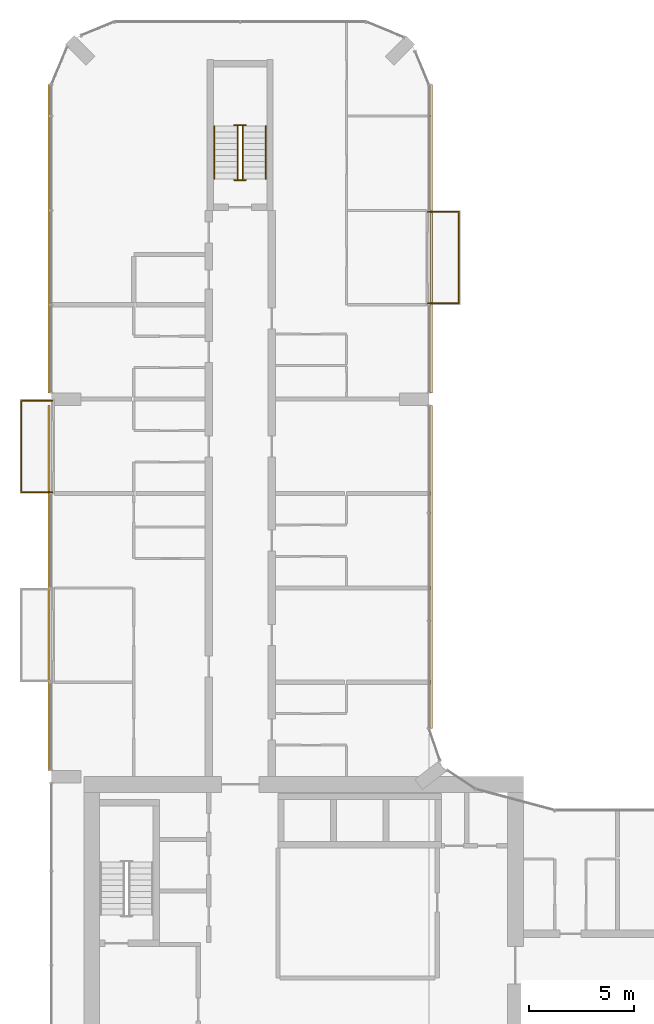
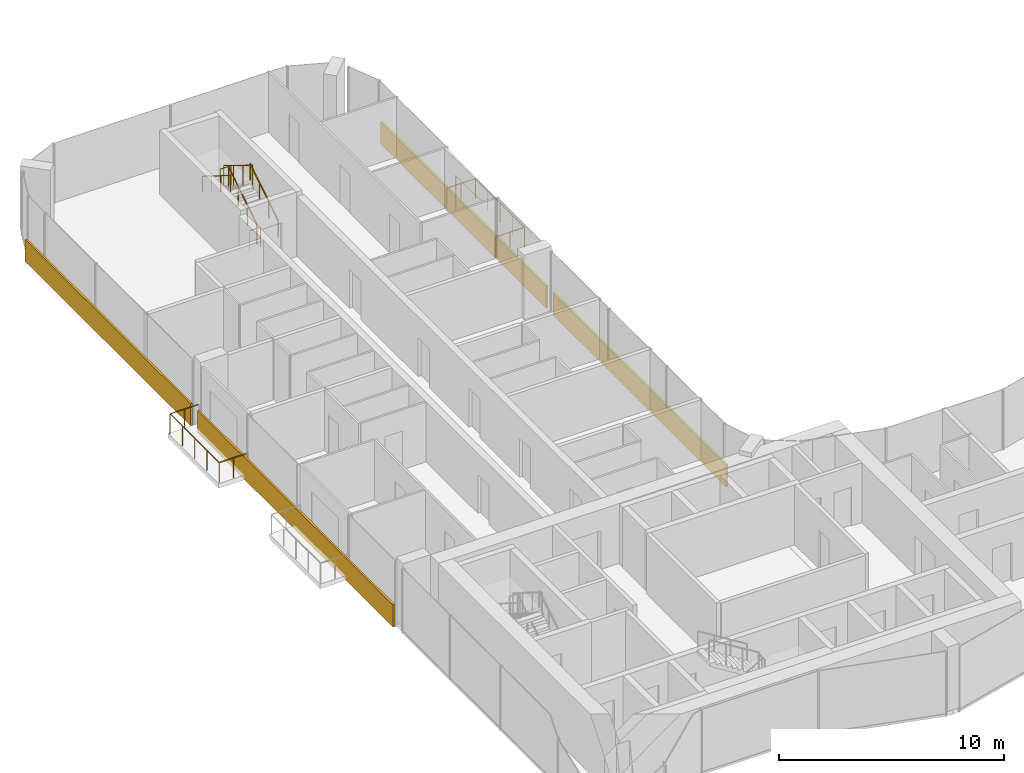
# One storey, part 23 of 24: 8 railings, 4 coverings.
"""IFC4 building model written with IfcOpenShell, lengths in metres."""

from ifc_helpers import new_model, si_unit, direction, frame, origin, origin_2d, place, context, subcontext, project, spatial, rectangle, circle, extrude, material, layer, layer_set, type_object, element, save


model = new_model("IFC4")

# Units and contexts
model_context = context("Model", 3, precision=1e-05, world=origin(), true_north=direction((0.0, 1.0)))
body_context = subcontext(model_context, "Body", "Model", "MODEL_VIEW")
ifc_project = project(units=[si_unit("LENGTHUNIT", "METRE"), si_unit("AREAUNIT", "SQUARE_METRE"), si_unit("VOLUMEUNIT", "CUBIC_METRE"), si_unit("PLANEANGLEUNIT", "RADIAN"), si_unit("MASSUNIT", "GRAM", prefix="KILO")], contexts=[model_context])

# Site, building, storey
site_placement = place(None, origin())
site = spatial("IfcSite", under=ifc_project, at=site_placement, CompositionType="ELEMENT")
building_placement = place(site_placement, origin())
building = spatial("IfcBuilding", under=site, at=building_placement, Name="Plateau Cross Towers", CompositionType="ELEMENT")
storey_placement = place(building_placement, frame((0.0, 0.0, 44.300048828125)))
storey = spatial("IfcBuildingStorey", under=building, at=storey_placement, Name="L10", CompositionType="ELEMENT", Elevation=44.300048828125)

# Railings
ifc_material_1 = material(Name="Stainless steel and toughened glass", Category="steel")
railing_type_1 = type_object("IfcRailingType", Name="Glass balustrade guard 1100", PredefinedType="GUARDRAIL", material=ifc_material_1)
railing_1_placement = place(storey_placement, frame((0.050048828125, 31.570068359375, 0.0)))
element("IfcRailing", 1, at=railing_1_placement, inside=storey, type_object=railing_type_1, Name="Guard guard1", PredefinedType="GUARDRAIL", context=body_context, shape_type="SweptSolid", body=[
    extrude(circle(Radius=0.02392578125, at=origin_2d()), frame((0.0, 0.0, 1.076171875), z_axis=(-1.0, 0.0, 0.0), x_axis=(0.0, -1.0, 0.0)), (0.0, 0.0, 1.0), 1.47998046875),
    extrude(circle(Radius=0.02392578125, at=origin_2d()), frame((-1.47998046875, 0.0, 1.076171875), z_axis=(0.0, 1.0, 0.0), x_axis=(-1.0, 0.0, 0.0)), (0.0, 0.0, 1.0), 4.35986328125),
    extrude(circle(Radius=0.02392578125, at=origin_2d()), frame((-1.47998046875, 4.35986328125, 1.076171875), z_axis=(1.0, 0.0, 0.0), x_axis=(0.0, 1.0, 0.0)), (0.0, 0.0, 1.0), 1.47998046875),
    extrude(circle(Radius=0.02099609375, at=origin_2d()), origin(), (0.0, 0.0, 1.0), 1.052001953125),
    extrude(circle(Radius=0.02099609375, at=origin_2d()), frame((-0.739990234375, 0.0, 0.0)), (0.0, 0.0, 1.0), 1.052001953125),
    extrude(circle(Radius=0.02099609375, at=origin_2d()), frame((-1.47998046875, 0.0, 0.0)), (0.0, 0.0, 1.0), 1.052001953125),
    extrude(circle(Radius=0.02099609375, at=origin_2d()), frame((-1.47998046875, 1.08984375, 0.0)), (0.0, 0.0, 1.0), 1.052001953125),
    extrude(circle(Radius=0.02099609375, at=origin_2d()), frame((-1.47998046875, 2.179931640625, 0.0)), (0.0, 0.0, 1.0), 1.052001953125),
    extrude(circle(Radius=0.02099609375, at=origin_2d()), frame((-1.47998046875, 3.27001953125, 0.0)), (0.0, 0.0, 1.0), 1.052001953125),
    extrude(circle(Radius=0.02099609375, at=origin_2d()), frame((-1.47998046875, 4.35986328125, 0.0)), (0.0, 0.0, 1.0), 1.052001953125),
    extrude(circle(Radius=0.02099609375, at=origin_2d()), frame((-0.739990234375, 4.35986328125, 0.0)), (0.0, 0.0, 1.0), 1.052001953125),
    extrude(circle(Radius=0.02099609375, at=origin_2d()), frame((0.0, 4.35986328125, 0.0)), (0.0, 0.0, 1.0), 1.052001953125),
])
railing_2_placement = place(storey_placement, frame((17.949951171875, 44.929931640625, 0.0)))
element("IfcRailing", 2, at=railing_2_placement, inside=storey, type_object=railing_type_1, Name="Guard guard1", PredefinedType="GUARDRAIL", context=body_context, shape_type="SweptSolid", body=[
    extrude(circle(Radius=0.02392578125, at=origin_2d()), frame((0.0, 0.0, 1.076171875), z_axis=(1.0, 0.0, 0.0), x_axis=(0.0, 1.0, 0.0)), (0.0, 0.0, 1.0), 1.47998046875),
    extrude(circle(Radius=0.02392578125, at=origin_2d()), frame((1.47998046875, 0.0, 1.076171875), z_axis=(0.0, -1.0, 0.0), x_axis=(1.0, 0.0, 0.0)), (0.0, 0.0, 1.0), 4.35986328125),
    extrude(circle(Radius=0.02392578125, at=origin_2d()), frame((1.47998046875, -4.35986328125, 1.076171875), z_axis=(-1.0, 0.0, 0.0), x_axis=(0.0, -1.0, 0.0)), (0.0, 0.0, 1.0), 1.47998046875),
    extrude(circle(Radius=0.02099609375, at=origin_2d()), origin(), (0.0, 0.0, 1.0), 1.052001953125),
    extrude(circle(Radius=0.02099609375, at=origin_2d()), frame((0.739990234375, 0.0, 0.0)), (0.0, 0.0, 1.0), 1.052001953125),
    extrude(circle(Radius=0.02099609375, at=origin_2d()), frame((1.47998046875, 0.0, 0.0)), (0.0, 0.0, 1.0), 1.052001953125),
    extrude(circle(Radius=0.02099609375, at=origin_2d()), frame((1.47998046875, -1.08984375, 0.0)), (0.0, 0.0, 1.0), 1.052001953125),
    extrude(circle(Radius=0.02099609375, at=origin_2d()), frame((1.47998046875, -2.179931640625, 0.0)), (0.0, 0.0, 1.0), 1.052001953125),
    extrude(circle(Radius=0.02099609375, at=origin_2d()), frame((1.47998046875, -3.27001953125, 0.0)), (0.0, 0.0, 1.0), 1.052001953125),
    extrude(circle(Radius=0.02099609375, at=origin_2d()), frame((1.47998046875, -4.35986328125, 0.0)), (0.0, 0.0, 1.0), 1.052001953125),
    extrude(circle(Radius=0.02099609375, at=origin_2d()), frame((0.739990234375, -4.35986328125, 0.0)), (0.0, 0.0, 1.0), 1.052001953125),
    extrude(circle(Radius=0.02099609375, at=origin_2d()), frame((0.0, -4.35986328125, 0.0)), (0.0, 0.0, 1.0), 1.052001953125),
])
railing_type_2 = type_object("IfcRailingType", Name="RL-GUARD-1100", PredefinedType="GUARDRAIL", material=ifc_material_1)
railing_3_placement = place(storey_placement, frame((9.125, 46.5, 0.175048828125)))
element("IfcRailing", 3, at=railing_3_placement, inside=storey, type_object=railing_type_2, Name="L10 ES-N stair guard 1", PredefinedType="GUARDRAIL", context=body_context, shape_type="SweptSolid", body=[
    extrude(circle(Radius=0.02392578125, at=origin_2d()), frame((0.0, 0.0, 1.076171875), z_axis=(0.0, 0.848007534815, 0.529984170421), x_axis=(-1.0, 0.0, 0.0)), (0.0, 0.0, 1.0), 2.9716796875),
    extrude(circle(Radius=0.02099609375, at=origin_2d()), origin(), (0.0, 0.0, 1.0), 1.052001953125),
    extrude(circle(Radius=0.02099609375, at=origin_2d()), frame((0.0, 0.840087890625, 0.52490234375)), (0.0, 0.0, 1.0), 1.052001953125),
    extrude(circle(Radius=0.02099609375, at=origin_2d()), frame((0.0, 1.679931640625, 1.050048828125)), (0.0, 0.0, 1.0), 1.052001953125),
    extrude(circle(Radius=0.02099609375, at=origin_2d()), frame((0.0, 2.52001953125, 1.574951171875)), (0.0, 0.0, 1.0), 1.052001953125),
])
railing_4_placement = place(storey_placement, frame((9.27490234375, 49.070068359375, 1.75)))
element("IfcRailing", 4, at=railing_4_placement, inside=storey, type_object=railing_type_2, Name="L10 ES-N stair guard 2", PredefinedType="GUARDRAIL", context=body_context, shape_type="SweptSolid", body=[
    extrude(circle(Radius=0.02392578125, at=origin_2d()), frame((0.0, 0.0, 1.076171875), z_axis=(-1.0, 0.0, 0.0), x_axis=(0.0, -1.0, 0.0)), (0.0, 0.0, 1.0), 0.5498046875),
    extrude(circle(Radius=0.02099609375, at=origin_2d()), origin(), (0.0, 0.0, 1.0), 1.052001953125),
    extrude(circle(Radius=0.02099609375, at=origin_2d()), frame((-0.5498046875, 0.0, 0.0)), (0.0, 0.0, 1.0), 1.052001953125),
])
railing_5_placement = place(storey_placement, frame((8.875, 49.02001953125, 1.925048828125)))
element("IfcRailing", 5, at=railing_5_placement, inside=storey, type_object=railing_type_2, Name="L10 ES-N stair guard 3", PredefinedType="GUARDRAIL", context=body_context, shape_type="SweptSolid", body=[
    extrude(circle(Radius=0.02392578125, at=origin_2d()), frame((0.0, 0.0, 1.076171875), z_axis=(0.0, -0.852638500773, 0.522501279423), x_axis=(1.0, 0.0, 0.0)), (0.0, 0.0, 1.0), 3.01416015625),
    extrude(circle(Radius=0.02099609375, at=origin_2d()), origin(), (0.0, 0.0, 1.0), 1.052001953125),
    extrude(circle(Radius=0.02099609375, at=origin_2d()), frame((0.0, -0.856689453125, 0.52490234375)), (0.0, 0.0, 1.0), 1.052001953125),
    extrude(circle(Radius=0.02099609375, at=origin_2d()), frame((0.0, -1.71337890625, 1.050048828125)), (0.0, 0.0, 1.0), 1.052001953125),
    extrude(circle(Radius=0.02099609375, at=origin_2d()), frame((0.0, -2.570068359375, 1.574951171875)), (0.0, 0.0, 1.0), 1.052001953125),
])
railing_6_placement = place(storey_placement, frame((9.27490234375, 46.449951171875, 0.0)))
element("IfcRailing", 6, at=railing_6_placement, inside=storey, type_object=railing_type_2, Name="L10 ES-N stair guard 4", PredefinedType="GUARDRAIL", context=body_context, shape_type="SweptSolid", body=[
    extrude(circle(Radius=0.02392578125, at=origin_2d()), frame((0.0, 0.0, 1.076171875), z_axis=(-1.0, 0.0, 0.0), x_axis=(0.0, -1.0, 0.0)), (0.0, 0.0, 1.0), 0.5498046875),
    extrude(circle(Radius=0.02099609375, at=origin_2d()), origin(), (0.0, 0.0, 1.0), 1.052001953125),
    extrude(circle(Radius=0.02099609375, at=origin_2d()), frame((-0.5498046875, 0.0, 0.0)), (0.0, 0.0, 1.0), 1.052001953125),
])
ifc_material_2 = material(Name="Black anodised aluminium", Category="aluminium")
railing_type_3 = type_object("IfcRailingType", Name="RL-HANDRAIL-900", PredefinedType="HANDRAIL", material=ifc_material_2)
railing_7_placement = place(storey_placement, frame((10.22509765625, 46.5, 0.175048828125)))
element("IfcRailing", 7, at=railing_7_placement, inside=storey, type_object=railing_type_3, Name="L10 ES-N stair handrail 1", PredefinedType="HANDRAIL", context=body_context, shape_type="SweptSolid", body=[
    extrude(circle(Radius=0.02392578125, at=origin_2d()), frame((0.0, 0.0, 0.8759765625), z_axis=(0.0, 0.848007534815, 0.529984170421), x_axis=(-1.0, 0.0, 0.0)), (0.0, 0.0, 1.0), 2.9716796875),
    extrude(circle(Radius=0.02099609375, at=origin_2d()), origin(), (0.0, 0.0, 1.0), 0.851806640625),
    extrude(circle(Radius=0.02099609375, at=origin_2d()), frame((0.0, 0.840087890625, 0.52490234375)), (0.0, 0.0, 1.0), 0.851806640625),
    extrude(circle(Radius=0.02099609375, at=origin_2d()), frame((0.0, 1.679931640625, 1.050048828125)), (0.0, 0.0, 1.0), 0.851806640625),
    extrude(circle(Radius=0.02099609375, at=origin_2d()), frame((0.0, 2.52001953125, 1.574951171875)), (0.0, 0.0, 1.0), 0.851806640625),
])
railing_8_placement = place(storey_placement, frame((7.77490234375, 49.02001953125, 1.925048828125)))
element("IfcRailing", 8, at=railing_8_placement, inside=storey, type_object=railing_type_3, Name="L10 ES-N stair handrail 2", PredefinedType="HANDRAIL", context=body_context, shape_type="SweptSolid", body=[
    extrude(circle(Radius=0.02392578125, at=origin_2d()), frame((0.0, 0.0, 0.8759765625), z_axis=(0.0, -0.848007534815, 0.529984170421), x_axis=(1.0, 0.0, 0.0)), (0.0, 0.0, 1.0), 2.9716796875),
    extrude(circle(Radius=0.02099609375, at=origin_2d()), origin(), (0.0, 0.0, 1.0), 0.851806640625),
    extrude(circle(Radius=0.02099609375, at=origin_2d()), frame((0.0, -0.840087890625, 0.52490234375)), (0.0, 0.0, 1.0), 0.851806640625),
    extrude(circle(Radius=0.02099609375, at=origin_2d()), frame((0.0, -1.679931640625, 1.050048828125)), (0.0, 0.0, 1.0), 0.851806640625),
    extrude(circle(Radius=0.02099609375, at=origin_2d()), frame((0.0, -2.52001953125, 1.574951171875)), (0.0, 0.0, 1.0), 0.851806640625),
])

# Coverings
ifc_material_3 = material(Name="Precast concrete cladding C40/50", Category="concrete")
ifc_layer = layer(ifc_material_3, 0.10009765625)
ifc_layer_set = layer_set([ifc_layer], Name="Precast concrete cladding C40/50")
covering_type = type_object("IfcCoveringType", Name="Spandrel band cladding 100x1200", PredefinedType="CLADDING", material=ifc_layer_set)
covering_1_placement = place(storey_placement, frame((18.1201171875, 28.001220703125, -0.25), z_axis=(0.0, 0.0, 1.0), x_axis=(0.0, 1.0, 0.0)))
element("IfcCovering", 9, at=covering_1_placement, inside=storey, type_object=covering_type, Name="Spandrel band", PredefinedType="CLADDING", context=body_context, shape_type="SweptSolid", body=[
    extrude(rectangle(XDim=15.397705078125, YDim=0.10009765625, at=origin_2d()), origin(), (0.0, 0.0, 1.0), 1.199951171875),
])
for number, where, z_axis, x_axis, name in (
    (10, (18.1201171875, 43.64990234375, -0.25), (0.0, 0.0, 1.0), (0.0, 1.0, 0.0), "Spandrel band"),
    (11, (-0.1201171875, 43.64990234375, -0.25), (0.0, 0.0, 1.0), (0.0, -1.0, 0.0), "Spandrel band"),
):
    element("IfcCovering", number, at=place(storey_placement, frame(where, z_axis=z_axis, x_axis=x_axis)), inside=storey, type_object=covering_type, Name=name, PredefinedType="CLADDING", context=body_context, shape_type="SweptSolid", body=[
        extrude(rectangle(XDim=14.699951171875, YDim=0.10009765625, at=origin_2d()), origin(), (0.0, 0.0, 1.0), 1.199951171875),
    ])
covering_2_placement = place(storey_placement, frame((-0.1201171875, 27.0, -0.25), z_axis=(0.0, 0.0, 1.0), x_axis=(0.0, -1.0, 0.0)))
element("IfcCovering", 12, at=covering_2_placement, inside=storey, type_object=covering_type, Name="Spandrel band", PredefinedType="CLADDING", context=body_context, shape_type="SweptSolid", body=[
    extrude(rectangle(XDim=17.39990234375, YDim=0.10009765625, at=origin_2d()), origin(), (0.0, 0.0, 1.0), 1.199951171875),
])

save(model, "model.ifc")
